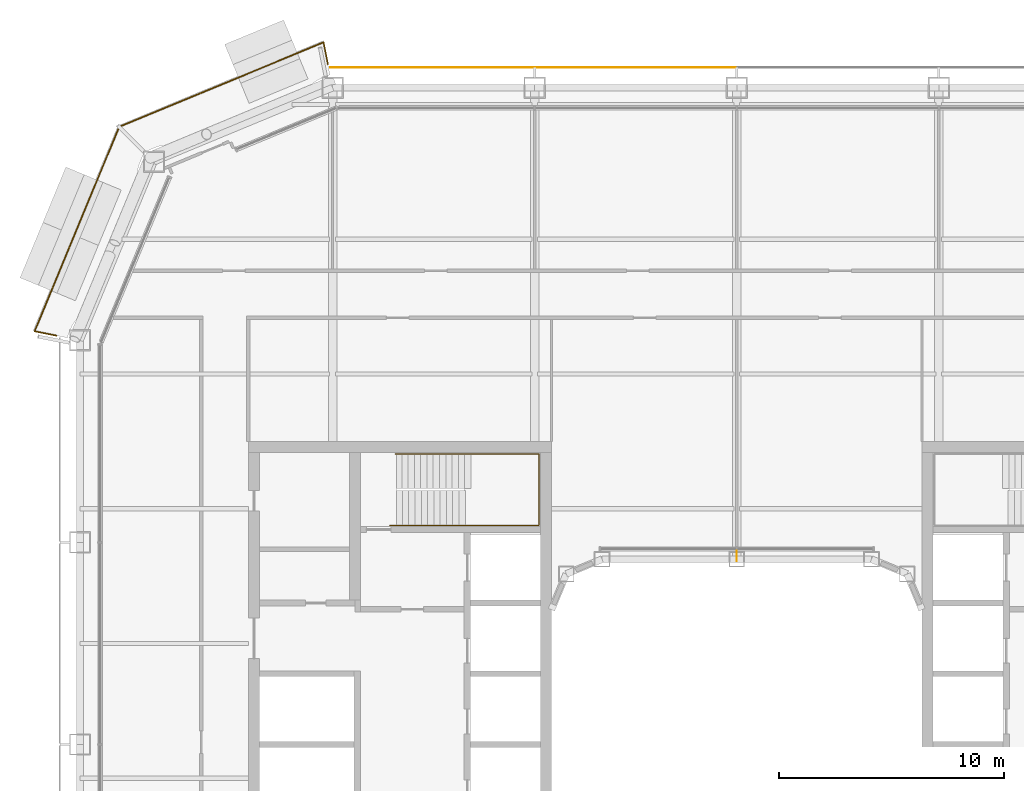
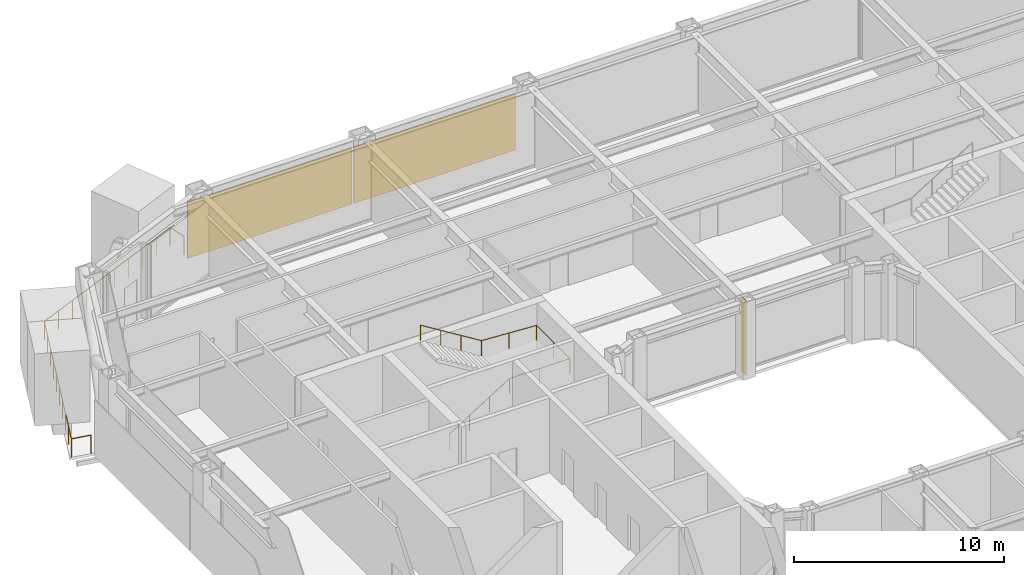
# One storey, part 21 of 23: 2 coverings, 2 railings, 1 shading device.
"""IFC4 building model written with IfcOpenShell, lengths in metres."""

from ifc_helpers import new_model, si_unit, direction, frame, origin, origin_2d, place, context, subcontext, project, spatial, rectangle, circle, extrude, material, layer, layer_set, type_object, element, save


model = new_model("IFC4")

# Units and contexts
model_context = context("Model", 3, precision=1e-05, world=origin(), true_north=direction((0.0, 1.0)))
body_context = subcontext(model_context, "Body", "Model", "MODEL_VIEW")
ifc_project = project(units=[si_unit("LENGTHUNIT", "METRE"), si_unit("AREAUNIT", "SQUARE_METRE"), si_unit("VOLUMEUNIT", "CUBIC_METRE"), si_unit("PLANEANGLEUNIT", "RADIAN"), si_unit("MASSUNIT", "GRAM", prefix="KILO")], contexts=[model_context])

# Site, building, storey
site_placement = place(None, origin())
site = spatial("IfcSite", under=ifc_project, at=site_placement, CompositionType="ELEMENT")
building_placement = place(site_placement, origin())
building = spatial("IfcBuilding", under=site, at=building_placement, Name="Siwar Civic Tower", CompositionType="ELEMENT")
storey_placement = place(building_placement, frame((0.0, 0.0, 136.199951171875)))
storey = spatial("IfcBuildingStorey", under=building, at=storey_placement, Name="L29", CompositionType="ELEMENT", Elevation=136.199951171875)

# Railing
ifc_material_1 = material(Name="Stainless steel", Category="steel")
railing_type_1 = type_object("IfcRailingType", Name="CORE-STAIR-HANDRAIL", PredefinedType="HANDRAIL", material=ifc_material_1)
railing_1_placement = place(storey_placement, frame((-15.449951171875, 9.758056640625, 0.173095703125)))
element("IfcRailing", 1, at=railing_1_placement, inside=storey, type_object=railing_type_1, Name="Stair handrail ST1", PredefinedType="HANDRAIL", context=body_context, shape_type="SweptSolid", body=[
    extrude(circle(Radius=0.02001953125, at=origin_2d()), frame((0.0, 0.0, 0.8798828125), z_axis=(0.847063342986, 0.0, 0.531491950051), x_axis=(0.0, 1.0, 0.0)), (0.0, 0.0, 1.0), 3.90771484375),
    extrude(circle(Radius=0.02001953125, at=origin_2d()), frame((3.31005859375, 0.0, 2.956787109375), z_axis=(1.0, 0.0, 0.0), x_axis=(0.0, 1.0, 0.0)), (0.0, 0.0, 1.0), 3.331787109375),
    extrude(circle(Radius=0.02001953125, at=origin_2d()), frame((6.641845703125, 0.0, 2.956787109375), z_axis=(0.0, 1.0, 0.0), x_axis=(-1.0, 0.0, 0.0)), (0.0, 0.0, 1.0), 3.183837890625),
    extrude(circle(Radius=0.02001953125, at=origin_2d()), frame((6.641845703125, 3.183837890625, 2.956787109375), z_axis=(-0.99837434197, 0.0, 0.056997134106), x_axis=(0.0, -1.0, 0.0)), (0.0, 0.0, 1.0), 3.036865234375),
    extrude(circle(Radius=0.02001953125, at=origin_2d()), frame((3.60986328125, 3.183837890625, 3.1298828125), z_axis=(-0.850606129759, 0.0, 0.525803396734), x_axis=(0.0, -1.0, 0.0)), (0.0, 0.0, 1.0), 3.949951171875),
    extrude(circle(Radius=0.02001953125, at=origin_2d()), origin(), (0.0, 0.0, 1.0), 0.85986328125),
    extrude(circle(Radius=0.02001953125, at=origin_2d()), frame((1.103271484375, 0.0, 0.6923828125)), (0.0, 0.0, 1.0), 0.85986328125),
    extrude(circle(Radius=0.02001953125, at=origin_2d()), frame((2.206787109375, 0.0, 1.384521484375)), (0.0, 0.0, 1.0), 0.85986328125),
    extrude(circle(Radius=0.02001953125, at=origin_2d()), frame((3.31005859375, 0.0, 2.076904296875)), (0.0, 0.0, 1.0), 0.85986328125),
    extrude(circle(Radius=0.02001953125, at=origin_2d()), frame((4.97607421875, 0.0, 2.076904296875)), (0.0, 0.0, 1.0), 0.85986328125),
    extrude(circle(Radius=0.02001953125, at=origin_2d()), frame((6.641845703125, 0.0, 2.076904296875)), (0.0, 0.0, 1.0), 0.85986328125),
    extrude(circle(Radius=0.02001953125, at=origin_2d()), frame((6.641845703125, 1.591796875, 2.076904296875)), (0.0, 0.0, 1.0), 0.85986328125),
    extrude(circle(Radius=0.02001953125, at=origin_2d()), frame((6.641845703125, 3.183837890625, 2.076904296875)), (0.0, 0.0, 1.0), 0.85986328125),
    extrude(circle(Radius=0.02001953125, at=origin_2d()), frame((5.1259765625, 3.183837890625, 2.16357421875)), (0.0, 0.0, 1.0), 0.85986328125),
    extrude(circle(Radius=0.02001953125, at=origin_2d()), frame((3.60986328125, 3.183837890625, 2.25)), (0.0, 0.0, 1.0), 0.85986328125),
    extrude(circle(Radius=0.02001953125, at=origin_2d()), frame((2.489990234375, 3.183837890625, 2.9423828125)), (0.0, 0.0, 1.0), 0.85986328125),
    extrude(circle(Radius=0.02001953125, at=origin_2d()), frame((1.369873046875, 3.183837890625, 3.634521484375)), (0.0, 0.0, 1.0), 0.85986328125),
    extrude(circle(Radius=0.02001953125, at=origin_2d()), frame((0.25, 3.183837890625, 4.326904296875)), (0.0, 0.0, 1.0), 0.85986328125),
])

# Shading device
ifc_material_2 = material(Name="Aluminium 6063-T6", Category="aluminium")
ifc_layer_1 = layer(ifc_material_2, 0.02001953125)
ifc_layer_set_1 = layer_set([ifc_layer_1], Name="Aluminium 6063-T6")
shading_device_type = type_object("IfcShadingDeviceType", Name="ENV-FIN", PredefinedType="JALOUSIE", material=ifc_layer_set_1)
shading_device_placement = place(storey_placement, frame((0.0, 8.39501953125, 0.0), z_axis=(0.0, 0.0, 1.0), x_axis=(-1.0, 0.0, 0.0)))
element("IfcShadingDevice", 2, at=shading_device_placement, inside=storey, type_object=shading_device_type, Name="SUNSHADE fin WN 1", PredefinedType="JALOUSIE", context=body_context, shape_type="SweptSolid", body=[
    extrude(rectangle(XDim=0.02001953125, YDim=0.449951171875, at=origin_2d()), origin(), (0.0, 0.0, 1.0), 4.35009765625),
])

# Railing
ifc_material_3 = material(Name="Stainless steel 316", Category="steel")
railing_type_2 = type_object("IfcRailingType", Name="ENV-GUARD", PredefinedType="GUARDRAIL", material=ifc_material_3)
railing_2_placement = place(storey_placement, frame((-18.208251953125, 30.297119140625, 0.0)))
element("IfcRailing", 3, at=railing_2_placement, inside=storey, type_object=railing_type_2, Name="Balcony guard NW", PredefinedType="GUARDRAIL", context=body_context, shape_type="SweptSolid", body=[
    extrude(circle(Radius=0.02392578125, at=origin_2d()), frame((0.0, 0.0, 1.076171875), z_axis=(-0.195123592472, 0.980778661911, 0.0), x_axis=(-0.980778661911, -0.195123592472, 0.0)), (0.0, 0.0, 1.0), 0.993408203125),
    extrude(circle(Radius=0.02392578125, at=origin_2d()), frame((-0.19384765625, 0.974365234375, 1.076171875), z_axis=(-0.924056377406, -0.38225621169, 0.0), x_axis=(0.38225621169, -0.924056377406, 0.0)), (0.0, 0.0, 1.0), 9.851806640625),
    extrude(circle(Radius=0.02392578125, at=origin_2d()), frame((-9.29736328125, -2.79150390625, 1.076171875), z_axis=(-0.38225621169, -0.924056377406, 0.0), x_axis=(0.924056377406, -0.38225621169, 0.0)), (0.0, 0.0, 1.0), 9.851806640625),
    extrude(circle(Radius=0.02392578125, at=origin_2d()), frame((-13.063232421875, -11.89501953125, 1.076171875), z_axis=(0.980778661911, -0.195123592472, 0.0), x_axis=(0.195123592472, 0.980778661911, 0.0)), (0.0, 0.0, 1.0), 0.993408203125),
    extrude(circle(Radius=0.02099609375, at=origin_2d()), origin(), (0.0, 0.0, 1.0), 1.052001953125),
    extrude(circle(Radius=0.02099609375, at=origin_2d()), frame((-0.19384765625, 0.974365234375, 0.0)), (0.0, 0.0, 1.0), 1.052001953125),
    extrude(circle(Radius=0.02099609375, at=origin_2d()), frame((-1.205322265625, 0.555908203125, 0.0)), (0.0, 0.0, 1.0), 1.052001953125),
    extrude(circle(Radius=0.02099609375, at=origin_2d()), frame((-2.216796875, 0.137451171875, 0.0)), (0.0, 0.0, 1.0), 1.052001953125),
    extrude(circle(Radius=0.02099609375, at=origin_2d()), frame((-3.228271484375, -0.281005859375, 0.0)), (0.0, 0.0, 1.0), 1.052001953125),
    extrude(circle(Radius=0.02099609375, at=origin_2d()), frame((-4.23974609375, -0.699462890625, 0.0)), (0.0, 0.0, 1.0), 1.052001953125),
    extrude(circle(Radius=0.02099609375, at=origin_2d()), frame((-5.25146484375, -1.11767578125, 0.0)), (0.0, 0.0, 1.0), 1.052001953125),
    extrude(circle(Radius=0.02099609375, at=origin_2d()), frame((-6.262939453125, -1.5361328125, 0.0)), (0.0, 0.0, 1.0), 1.052001953125),
    extrude(circle(Radius=0.02099609375, at=origin_2d()), frame((-7.2744140625, -1.95458984375, 0.0)), (0.0, 0.0, 1.0), 1.052001953125),
    extrude(circle(Radius=0.02099609375, at=origin_2d()), frame((-8.285888671875, -2.373046875, 0.0)), (0.0, 0.0, 1.0), 1.052001953125),
    extrude(circle(Radius=0.02099609375, at=origin_2d()), frame((-9.29736328125, -2.79150390625, 0.0)), (0.0, 0.0, 1.0), 1.052001953125),
    extrude(circle(Radius=0.02099609375, at=origin_2d()), frame((-9.7158203125, -3.802978515625, 0.0)), (0.0, 0.0, 1.0), 1.052001953125),
    extrude(circle(Radius=0.02099609375, at=origin_2d()), frame((-10.13427734375, -4.814453125, 0.0)), (0.0, 0.0, 1.0), 1.052001953125),
    extrude(circle(Radius=0.02099609375, at=origin_2d()), frame((-10.552734375, -5.825927734375, 0.0)), (0.0, 0.0, 1.0), 1.052001953125),
    extrude(circle(Radius=0.02099609375, at=origin_2d()), frame((-10.97119140625, -6.83740234375, 0.0)), (0.0, 0.0, 1.0), 1.052001953125),
    extrude(circle(Radius=0.02099609375, at=origin_2d()), frame((-11.389404296875, -7.84912109375, 0.0)), (0.0, 0.0, 1.0), 1.052001953125),
    extrude(circle(Radius=0.02099609375, at=origin_2d()), frame((-11.807861328125, -8.860595703125, 0.0)), (0.0, 0.0, 1.0), 1.052001953125),
    extrude(circle(Radius=0.02099609375, at=origin_2d()), frame((-12.226318359375, -9.8720703125, 0.0)), (0.0, 0.0, 1.0), 1.052001953125),
    extrude(circle(Radius=0.02099609375, at=origin_2d()), frame((-12.644775390625, -10.883544921875, 0.0)), (0.0, 0.0, 1.0), 1.052001953125),
    extrude(circle(Radius=0.02099609375, at=origin_2d()), frame((-13.063232421875, -11.89501953125, 0.0)), (0.0, 0.0, 1.0), 1.052001953125),
    extrude(circle(Radius=0.02099609375, at=origin_2d()), frame((-12.0888671875, -12.0888671875, 0.0)), (0.0, 0.0, 1.0), 1.052001953125),
])

# Coverings
ifc_material_4 = material(Name="Perforated aluminium cassette, pale metal", Category="aluminium")
ifc_layer_2 = layer(ifc_material_4, 0.0400390625)
ifc_layer_set_2 = layer_set([ifc_layer_2], Name="Perforated aluminium cassette, pale metal")
covering_type = type_object("IfcCoveringType", Name="ENV-OUTER SKIN OS-1", PredefinedType="CLADDING", material=ifc_layer_set_2)
covering_1_placement = place(storey_placement, frame((-4.5, 30.14990234375, -0.14990234375), z_axis=(0.0, 0.0, 1.0), x_axis=(-1.0, 0.0, 0.0)))
element("IfcCovering", 4, at=covering_1_placement, inside=storey, type_object=covering_type, Name="OUTER SKIN OS-1 N 3", PredefinedType="CLADDING", context=body_context, shape_type="SweptSolid", body=[
    extrude(rectangle(XDim=8.89990234375, YDim=0.0400390625, at=origin_2d()), origin(), (0.0, 0.0, 1.0), 3.300048828125),
])
covering_2_placement = place(storey_placement, frame((-13.57958984375, 30.14990234375, -0.14990234375), z_axis=(0.0, 0.0, 1.0), x_axis=(-1.0, 0.0, 0.0)))
element("IfcCovering", 5, at=covering_2_placement, inside=storey, type_object=covering_type, Name="OUTER SKIN OS-1 N 4", PredefinedType="CLADDING", context=body_context, shape_type="SweptSolid", body=[
    extrude(rectangle(XDim=9.05908203125, YDim=0.0400390625, at=origin_2d()), origin(), (0.0, 0.0, 1.0), 3.300048828125),
])

save(model, "model.ifc")
